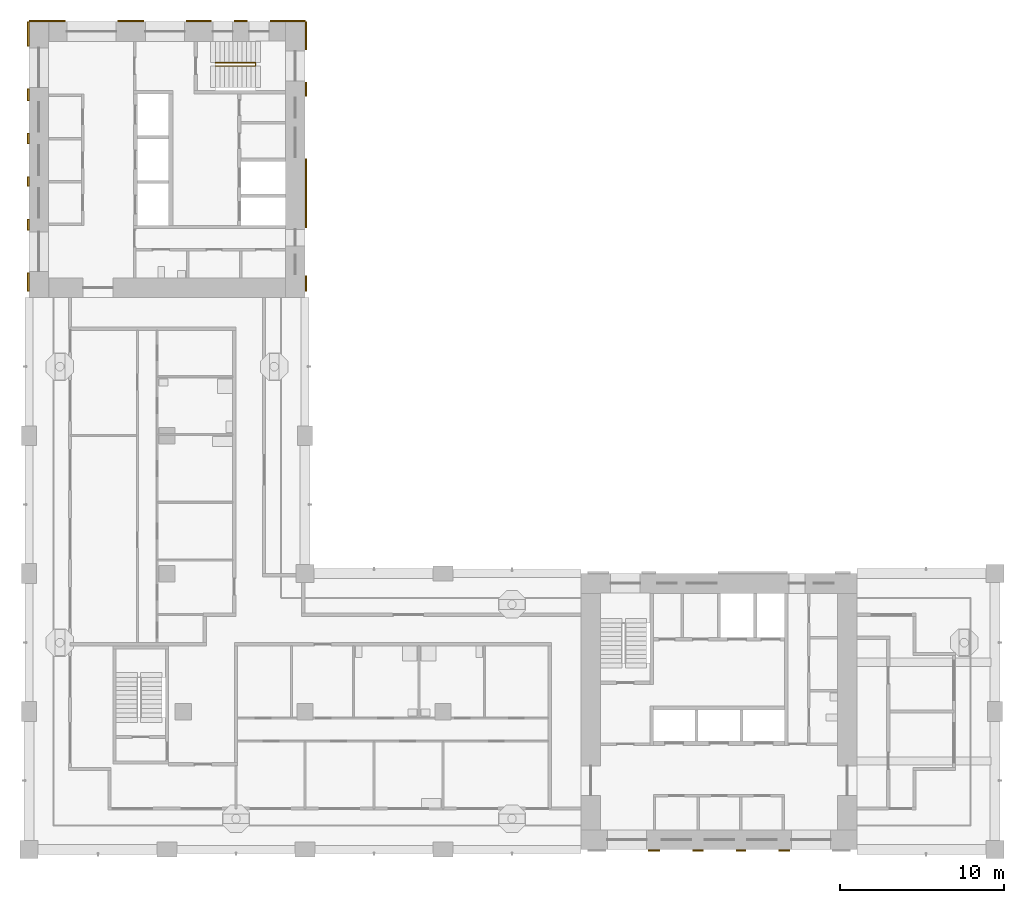
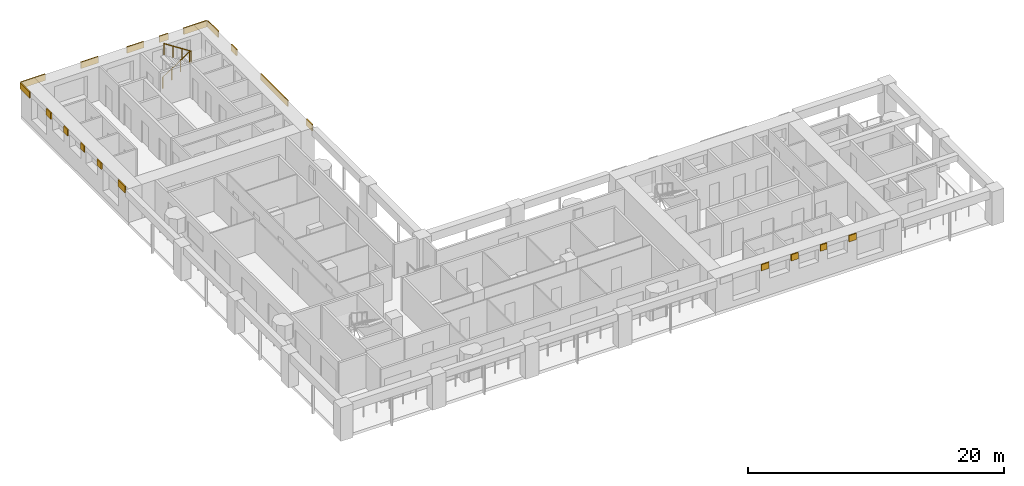
# One storey, part 10 of 13: 19 shading devices, 1 railing.
"""IFC4 building model written with IfcOpenShell, lengths in metres."""

from ifc_helpers import new_model, si_unit, direction, frame, origin, origin_2d, place, context, subcontext, project, spatial, rectangle, circle, extrude, material, layer, layer_set, type_object, element, save


model = new_model("IFC4")

# Units and contexts
model_context = context("Model", 3, precision=1e-05, world=origin(), true_north=direction((0.0, 1.0)))
body_context = subcontext(model_context, "Body", "Model", "MODEL_VIEW")
ifc_project = project(units=[si_unit("LENGTHUNIT", "METRE"), si_unit("AREAUNIT", "SQUARE_METRE"), si_unit("VOLUMEUNIT", "CUBIC_METRE"), si_unit("PLANEANGLEUNIT", "RADIAN"), si_unit("MASSUNIT", "GRAM", prefix="KILO")], contexts=[model_context])

# Site, building, storey
site_placement = place(None, origin())
site = spatial("IfcSite", under=ifc_project, at=site_placement, CompositionType="ELEMENT")
building_placement = place(site_placement, origin())
building = spatial("IfcBuilding", under=site, at=building_placement, Name="Vermilion Gate Residences", CompositionType="ELEMENT")
storey_placement = place(building_placement, frame((0.0, 0.0, 196.699951171875)))
storey = spatial("IfcBuildingStorey", under=building, at=storey_placement, Name="L51", CompositionType="ELEMENT", Elevation=196.699951171875)

# Railing
ifc_material_1 = material(Name="Steel S355", Category="steel")
railing_type = type_object("IfcRailingType", Name="STAIR GUARD 1100 STEEL", PredefinedType="GUARDRAIL", material=ifc_material_1)
railing_placement = place(storey_placement, frame((19.75, 56.300048828125, 0.175048828125)))
element("IfcRailing", 1, at=railing_placement, inside=storey, type_object=railing_type, Name="Stair well guard STB1-51", PredefinedType="GUARDRAIL", context=body_context, shape_type="SweptSolid", body=[
    extrude(circle(Radius=0.02392578125, at=origin_2d()), frame((0.0, 0.0, 1.076171875), z_axis=(0.839153699163, 0.0, 0.543894354798), x_axis=(0.0, 1.0, 0.0)), (0.0, 0.0, 1.0), 2.895751953125),
    extrude(circle(Radius=0.02392578125, at=origin_2d()), frame((2.429931640625, 0.0, 2.65087890625), z_axis=(0.0, -0.752405939678, 0.658699705433), x_axis=(1.0, 0.0, 0.0)), (0.0, 0.0, 1.0), 0.265869140625),
    extrude(circle(Radius=0.02392578125, at=origin_2d()), frame((2.429931640625, -0.199951171875, 2.826171875), z_axis=(-0.839153699163, 0.0, 0.543894354798), x_axis=(0.0, -1.0, 0.0)), (0.0, 0.0, 1.0), 2.895751953125),
    extrude(circle(Radius=0.02099609375, at=origin_2d()), origin(), (0.0, 0.0, 1.0), 1.052001953125),
    extrude(circle(Radius=0.02099609375, at=origin_2d()), frame((0.81005859375, 0.0, 0.52490234375)), (0.0, 0.0, 1.0), 1.052001953125),
    extrude(circle(Radius=0.02099609375, at=origin_2d()), frame((1.619873046875, 0.0, 1.050048828125)), (0.0, 0.0, 1.0), 1.052001953125),
    extrude(circle(Radius=0.02099609375, at=origin_2d()), frame((2.429931640625, 0.0, 1.574951171875)), (0.0, 0.0, 1.0), 1.052001953125),
    extrude(circle(Radius=0.02099609375, at=origin_2d()), frame((2.429931640625, -0.199951171875, 1.75)), (0.0, 0.0, 1.0), 1.052001953125),
    extrude(circle(Radius=0.02099609375, at=origin_2d()), frame((1.619873046875, -0.199951171875, 2.27490234375)), (0.0, 0.0, 1.0), 1.052001953125),
    extrude(circle(Radius=0.02099609375, at=origin_2d()), frame((0.81005859375, -0.199951171875, 2.800048828125)), (0.0, 0.0, 1.0), 1.052001953125),
    extrude(circle(Radius=0.02099609375, at=origin_2d()), frame((0.0, -0.199951171875, 3.324951171875)), (0.0, 0.0, 1.0), 1.052001953125),
])

# Shading devices
ifc_material_2 = material(Name="Extruded terracotta", Category="masonry")
ifc_layer = layer(ifc_material_2, 0.10009765625)
ifc_layer_set = layer_set([ifc_layer], Name="TERRACOTTA SPANDREL BAND 600 X 100")
shading_device_type = type_object("IfcShadingDeviceType", Name="TERRACOTTA SPANDREL BAND 600 X 100", PredefinedType="USERDEFINED", material=ifc_layer_set)
shading_device_1_placement = place(storey_placement, frame((46.4541015625, 8.35009765625, 2.6201171875), z_axis=(0.0, 0.0, 1.0), x_axis=(1.0, 0.0, 0.0)))
element("IfcShadingDevice", 2, at=shading_device_1_placement, inside=storey, type_object=shading_device_type, Name="SPANDREL BAND", ObjectType="BAND", PredefinedType="USERDEFINED", context=body_context, shape_type="SweptSolid", body=[
    extrude(rectangle(XDim=0.7080078125, YDim=0.10009765625, at=origin_2d()), origin(), (0.0, 0.0, 1.0), 0.60009765625),
])
shading_device_2_placement = place(storey_placement, frame((49.12255859375, 8.35009765625, 2.6201171875), z_axis=(0.0, 0.0, 1.0), x_axis=(1.0, 0.0, 0.0)))
element("IfcShadingDevice", 3, at=shading_device_2_placement, inside=storey, type_object=shading_device_type, Name="SPANDREL BAND", ObjectType="BAND", PredefinedType="USERDEFINED", context=body_context, shape_type="SweptSolid", body=[
    extrude(rectangle(XDim=0.62890625, YDim=0.10009765625, at=origin_2d()), origin(), (0.0, 0.0, 1.0), 0.60009765625),
])
shading_device_3_placement = place(storey_placement, frame((51.73291015625, 8.35009765625, 2.6201171875), z_axis=(0.0, 0.0, 1.0), x_axis=(1.0, 0.0, 0.0)))
element("IfcShadingDevice", 4, at=shading_device_3_placement, inside=storey, type_object=shading_device_type, Name="SPANDREL BAND", ObjectType="BAND", PredefinedType="USERDEFINED", context=body_context, shape_type="SweptSolid", body=[
    extrude(rectangle(XDim=0.592041015625, YDim=0.10009765625, at=origin_2d()), origin(), (0.0, 0.0, 1.0), 0.60009765625),
])
shading_device_4_placement = place(storey_placement, frame((54.364501953125, 8.35009765625, 2.6201171875), z_axis=(0.0, 0.0, 1.0), x_axis=(1.0, 0.0, 0.0)))
element("IfcShadingDevice", 5, at=shading_device_4_placement, inside=storey, type_object=shading_device_type, Name="SPANDREL BAND", ObjectType="BAND", PredefinedType="USERDEFINED", context=body_context, shape_type="SweptSolid", body=[
    extrude(rectangle(XDim=0.6708984375, YDim=0.10009765625, at=origin_2d()), origin(), (0.0, 0.0, 1.0), 0.60009765625),
])
shading_device_5_placement = place(storey_placement, frame((9.50244140625, 58.85009765625, 2.6201171875), z_axis=(0.0, 0.0, 1.0), x_axis=(1.0, 0.0, 0.0)))
element("IfcShadingDevice", 6, at=shading_device_5_placement, inside=storey, type_object=shading_device_type, Name="SPANDREL BAND", ObjectType="BAND", PredefinedType="USERDEFINED", context=body_context, shape_type="SweptSolid", body=[
    extrude(rectangle(XDim=2.205078125, YDim=0.10009765625, at=origin_2d()), origin(), (0.0, 0.0, 1.0), 0.60009765625),
])
shading_device_6_placement = place(storey_placement, frame((14.590087890625, 58.85009765625, 2.6201171875), z_axis=(0.0, 0.0, 1.0), x_axis=(1.0, 0.0, 0.0)))
element("IfcShadingDevice", 7, at=shading_device_6_placement, inside=storey, type_object=shading_device_type, Name="SPANDREL BAND", ObjectType="BAND", PredefinedType="USERDEFINED", context=body_context, shape_type="SweptSolid", body=[
    extrude(rectangle(XDim=1.570068359375, YDim=0.10009765625, at=origin_2d()), origin(), (0.0, 0.0, 1.0), 0.60009765625),
])
shading_device_7_placement = place(storey_placement, frame((18.734130859375, 58.85009765625, 2.6201171875), z_axis=(0.0, 0.0, 1.0), x_axis=(1.0, 0.0, 0.0)))
element("IfcShadingDevice", 8, at=shading_device_7_placement, inside=storey, type_object=shading_device_type, Name="SPANDREL BAND", ObjectType="BAND", PredefinedType="USERDEFINED", context=body_context, shape_type="SweptSolid", body=[
    extrude(rectangle(XDim=1.518310546875, YDim=0.10009765625, at=origin_2d()), origin(), (0.0, 0.0, 1.0), 0.60009765625),
])
shading_device_8_placement = place(storey_placement, frame((21.294921875, 58.85009765625, 2.6201171875), z_axis=(0.0, 0.0, 1.0), x_axis=(1.0, 0.0, 0.0)))
element("IfcShadingDevice", 9, at=shading_device_8_placement, inside=storey, type_object=shading_device_type, Name="SPANDREL BAND", ObjectType="BAND", PredefinedType="USERDEFINED", context=body_context, shape_type="SweptSolid", body=[
    extrude(rectangle(XDim=0.803466796875, YDim=0.10009765625, at=origin_2d()), origin(), (0.0, 0.0, 1.0), 0.60009765625),
])
shading_device_9_placement = place(storey_placement, frame((24.1484375, 58.85009765625, 2.6201171875), z_axis=(0.0, 0.0, 1.0), x_axis=(1.0, 0.0, 0.0)))
element("IfcShadingDevice", 10, at=shading_device_9_placement, inside=storey, type_object=shading_device_type, Name="SPANDREL BAND", ObjectType="BAND", PredefinedType="USERDEFINED", context=body_context, shape_type="SweptSolid", body=[
    extrude(rectangle(XDim=2.103271484375, YDim=0.10009765625, at=origin_2d()), origin(), (0.0, 0.0, 1.0), 0.60009765625),
])
shading_device_10_placement = place(storey_placement, frame((8.35009765625, 42.949951171875, 2.6201171875), z_axis=(0.0, 0.0, 1.0), x_axis=(0.0, 1.0, 0.0)))
element("IfcShadingDevice", 11, at=shading_device_10_placement, inside=storey, type_object=shading_device_type, Name="SPANDREL BAND", ObjectType="BAND", PredefinedType="USERDEFINED", context=body_context, shape_type="SweptSolid", body=[
    extrude(rectangle(XDim=1.10009765625, YDim=0.10009765625, at=origin_2d()), origin(), (0.0, 0.0, 1.0), 0.60009765625),
])
shading_device_11_placement = place(storey_placement, frame((8.35009765625, 46.435546875, 2.6201171875), z_axis=(0.0, 0.0, 1.0), x_axis=(0.0, 1.0, 0.0)))
element("IfcShadingDevice", 12, at=shading_device_11_placement, inside=storey, type_object=shading_device_type, Name="SPANDREL BAND", ObjectType="BAND", PredefinedType="USERDEFINED", context=body_context, shape_type="SweptSolid", body=[
    extrude(rectangle(XDim=0.6708984375, YDim=0.10009765625, at=origin_2d()), origin(), (0.0, 0.0, 1.0), 0.60009765625),
])
shading_device_12_placement = place(storey_placement, frame((8.35009765625, 49.06689453125, 2.6201171875), z_axis=(0.0, 0.0, 1.0), x_axis=(0.0, 1.0, 0.0)))
element("IfcShadingDevice", 13, at=shading_device_12_placement, inside=storey, type_object=shading_device_type, Name="SPANDREL BAND", ObjectType="BAND", PredefinedType="USERDEFINED", context=body_context, shape_type="SweptSolid", body=[
    extrude(rectangle(XDim=0.592041015625, YDim=0.10009765625, at=origin_2d()), origin(), (0.0, 0.0, 1.0), 0.60009765625),
])
shading_device_13_placement = place(storey_placement, frame((8.35009765625, 51.677490234375, 2.6201171875), z_axis=(0.0, 0.0, 1.0), x_axis=(0.0, 1.0, 0.0)))
element("IfcShadingDevice", 14, at=shading_device_13_placement, inside=storey, type_object=shading_device_type, Name="SPANDREL BAND", ObjectType="BAND", PredefinedType="USERDEFINED", context=body_context, shape_type="SweptSolid", body=[
    extrude(rectangle(XDim=0.62890625, YDim=0.10009765625, at=origin_2d()), origin(), (0.0, 0.0, 1.0), 0.60009765625),
])
shading_device_14_placement = place(storey_placement, frame((8.35009765625, 54.345947265625, 2.6201171875), z_axis=(0.0, 0.0, 1.0), x_axis=(0.0, 1.0, 0.0)))
element("IfcShadingDevice", 15, at=shading_device_14_placement, inside=storey, type_object=shading_device_type, Name="SPANDREL BAND", ObjectType="BAND", PredefinedType="USERDEFINED", context=body_context, shape_type="SweptSolid", body=[
    extrude(rectangle(XDim=0.7080078125, YDim=0.10009765625, at=origin_2d()), origin(), (0.0, 0.0, 1.0), 0.60009765625),
])
shading_device_15_placement = place(storey_placement, frame((8.35009765625, 58.050048828125, 2.6201171875), z_axis=(0.0, 0.0, 1.0), x_axis=(0.0, 1.0, 0.0)))
element("IfcShadingDevice", 16, at=shading_device_15_placement, inside=storey, type_object=shading_device_type, Name="SPANDREL BAND", ObjectType="BAND", PredefinedType="USERDEFINED", context=body_context, shape_type="SweptSolid", body=[
    extrude(rectangle(XDim=1.5, YDim=0.10009765625, at=origin_2d()), origin(), (0.0, 0.0, 1.0), 0.60009765625),
])
shading_device_16_placement = place(storey_placement, frame((25.25, 42.862548828125, 2.6201171875), z_axis=(0.0, 0.0, 1.0), x_axis=(0.0, 1.0, 0.0)))
element("IfcShadingDevice", 17, at=shading_device_16_placement, inside=storey, type_object=shading_device_type, Name="SPANDREL BAND", ObjectType="BAND", PredefinedType="USERDEFINED", context=body_context, shape_type="SweptSolid", body=[
    extrude(rectangle(XDim=0.925048828125, YDim=0.10009765625, at=origin_2d()), origin(), (0.0, 0.0, 1.0), 0.60009765625),
])
shading_device_17_placement = place(storey_placement, frame((25.25, 48.35009765625, 2.6201171875), z_axis=(0.0, 0.0, 1.0), x_axis=(0.0, 1.0, 0.0)))
element("IfcShadingDevice", 18, at=shading_device_17_placement, inside=storey, type_object=shading_device_type, Name="SPANDREL BAND", ObjectType="BAND", PredefinedType="USERDEFINED", context=body_context, shape_type="SweptSolid", body=[
    extrude(rectangle(XDim=4.199951171875, YDim=0.10009765625, at=origin_2d()), origin(), (0.0, 0.0, 1.0), 0.60009765625),
])
shading_device_18_placement = place(storey_placement, frame((25.25, 54.67822265625, 2.6201171875), z_axis=(0.0, 0.0, 1.0), x_axis=(0.0, 1.0, 0.0)))
element("IfcShadingDevice", 19, at=shading_device_18_placement, inside=storey, type_object=shading_device_type, Name="SPANDREL BAND", ObjectType="BAND", PredefinedType="USERDEFINED", context=body_context, shape_type="SweptSolid", body=[
    extrude(rectangle(XDim=0.84375, YDim=0.10009765625, at=origin_2d()), origin(), (0.0, 0.0, 1.0), 0.60009765625),
])
shading_device_19_placement = place(storey_placement, frame((25.25, 57.949951171875, 2.6201171875), z_axis=(0.0, 0.0, 1.0), x_axis=(0.0, 1.0, 0.0)))
element("IfcShadingDevice", 20, at=shading_device_19_placement, inside=storey, type_object=shading_device_type, Name="SPANDREL BAND", ObjectType="BAND", PredefinedType="USERDEFINED", context=body_context, shape_type="SweptSolid", body=[
    extrude(rectangle(XDim=1.699951171875, YDim=0.10009765625, at=origin_2d()), origin(), (0.0, 0.0, 1.0), 0.60009765625),
])

save(model, "model.ifc")
